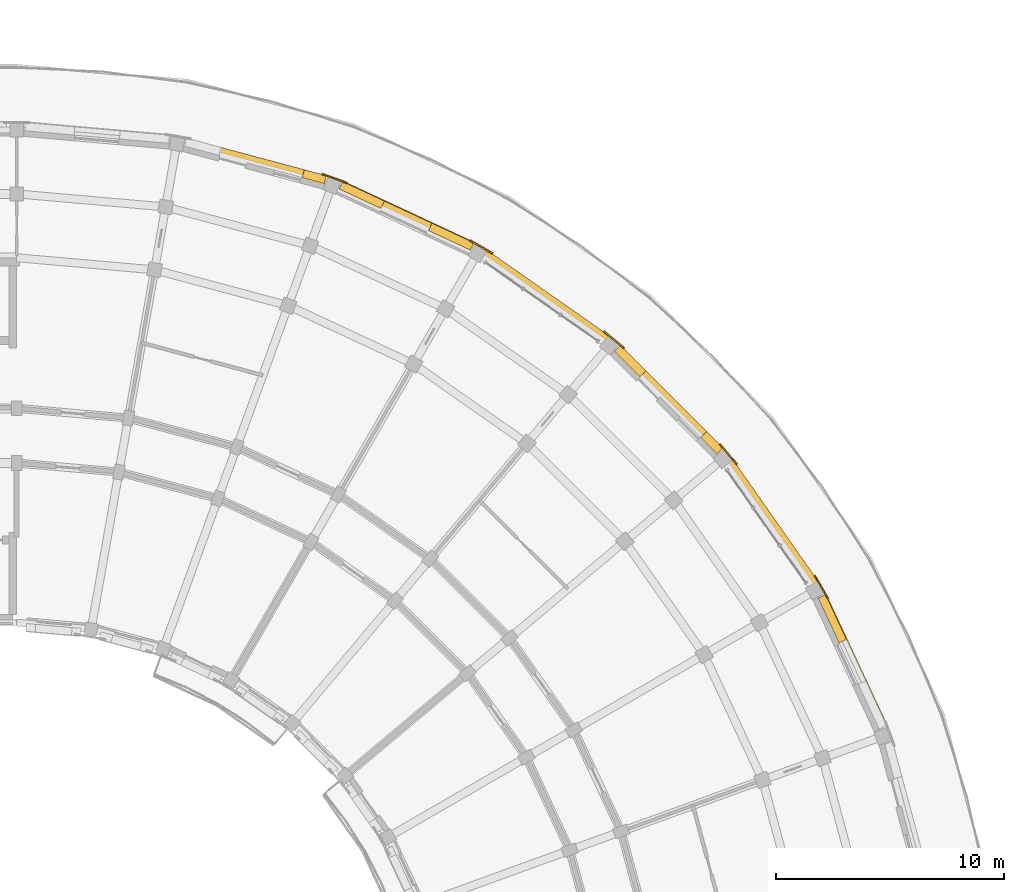
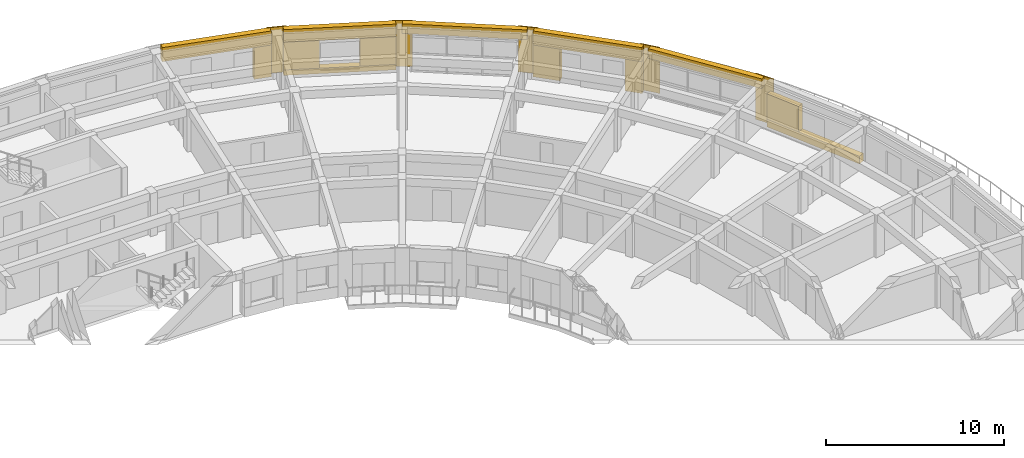
# One storey, part 41 of 41: 18 coverings.
"""IFC4 building model written with IfcOpenShell, lengths in metres."""

from ifc_helpers import new_model, si_unit, direction, frame, origin, place, context, subcontext, project, spatial, polyline, outline, extrude, material, layer, layer_set, type_object, element, save


model = new_model("IFC4")

# Units and contexts
model_context = context("Model", 3, precision=1e-05, world=origin(), true_north=direction((0.0, 1.0)))
body_context = subcontext(model_context, "Body", "Model", "MODEL_VIEW")
ifc_project = project(units=[si_unit("LENGTHUNIT", "METRE"), si_unit("AREAUNIT", "SQUARE_METRE"), si_unit("VOLUMEUNIT", "CUBIC_METRE"), si_unit("PLANEANGLEUNIT", "RADIAN"), si_unit("MASSUNIT", "GRAM", prefix="KILO")], contexts=[model_context])

# Site, building, storey
site_placement = place(None, origin())
site = spatial("IfcSite", under=ifc_project, at=site_placement, CompositionType="ELEMENT")
building_placement = place(site_placement, origin())
building = spatial("IfcBuilding", under=site, at=building_placement, Name="Kiranvali Square Residences", CompositionType="ELEMENT")
storey_placement = place(building_placement, frame((0.0, 0.0, 33.89990234375)))
storey = spatial("IfcBuildingStorey", under=building, at=storey_placement, Name="L10", CompositionType="ELEMENT", Elevation=33.89990234375)

# Coverings
ifc_material = material(Name="Honed Porbandar limestone ashlar facade cladding", Category="masonry")
ifc_layer_1 = layer(ifc_material, 0.3798828125)
ifc_layer_set_1 = layer_set([ifc_layer_1], Name="Honed Porbandar limestone ashlar facade cladding")
covering_type_1 = type_object("IfcCoveringType", Name="COV-CLAD-JAMB", PredefinedType="CLADDING", material=ifc_layer_set_1)
covering_1_placement = place(storey_placement, origin())
element("IfcCovering", 1, at=covering_1_placement, inside=storey, type_object=covering_type_1, Name="L10 deep limestone window jamb reveal B-L10-CRV-01.R", PredefinedType="CLADDING", context=body_context, shape_type="SweptSolid", body=[
    extrude(outline(polyline([(132.314697265625, 126.11328125), (133.27978515625, 125.854736328125), (133.372802734375, 126.201904296875), (132.40771484375, 126.46044921875), (132.314697265625, 126.11328125)])), origin(), (0.0, 0.0, 1.0), 2.18017578125),
])
covering_2_placement = place(storey_placement, frame((0.0, 0.0, 0.380126953125)))
element("IfcCovering", 2, at=covering_2_placement, inside=storey, type_object=covering_type_1, Name="L10 deep limestone window jamb reveal B-L10-CRV-02.L", PredefinedType="CLADDING", context=body_context, shape_type="SweptSolid", body=[
    extrude(outline(polyline([(133.93505859375, 125.6162109375), (135.766845703125, 124.761962890625), (135.918701171875, 125.087890625), (134.0869140625, 125.94189453125), (133.93505859375, 125.6162109375)])), origin(), (0.0, 0.0, 1.0), 1.89990234375),
])
covering_3_placement = place(storey_placement, frame((0.0, 0.0, 0.380126953125)))
element("IfcCovering", 3, at=covering_3_placement, inside=storey, type_object=covering_type_1, Name="L10 deep limestone window jamb reveal B-L10-CRV-02.R", PredefinedType="CLADDING", context=body_context, shape_type="SweptSolid", body=[
    extrude(outline(polyline([(137.851318359375, 123.7900390625), (139.68310546875, 122.935791015625), (139.8349609375, 123.26171875), (138.003173828125, 124.11572265625), (137.851318359375, 123.7900390625)])), origin(), (0.0, 0.0, 1.0), 1.89990234375),
])
covering_4_placement = place(storey_placement, origin())
element("IfcCovering", 4, at=covering_4_placement, inside=storey, type_object=covering_type_1, Name="L10 deep limestone window jamb reveal B-L10-CRV-04.L", PredefinedType="CLADDING", context=body_context, shape_type="SweptSolid", body=[
    extrude(outline(polyline([(146.016357421875, 118.5009765625), (147.12646484375, 117.39111328125), (147.380615234375, 117.645263671875), (146.270751953125, 118.75537109375), (146.016357421875, 118.5009765625)])), origin(), (0.0, 0.0, 1.0), 2.18017578125),
])
covering_5_placement = place(storey_placement, origin())
element("IfcCovering", 5, at=covering_5_placement, inside=storey, type_object=covering_type_1, Name="L10 deep limestone window jamb reveal B-L10-CRV-04.R", PredefinedType="CLADDING", context=body_context, shape_type="SweptSolid", body=[
    extrude(outline(polyline([(149.794677734375, 114.722900390625), (150.5009765625, 114.016357421875), (150.75537109375, 114.270751953125), (150.048828125, 114.97705078125), (149.794677734375, 114.722900390625)])), origin(), (0.0, 0.0, 1.0), 2.18017578125),
])
covering_6_placement = place(storey_placement, frame((0.0, 0.0, 0.530029296875)))
element("IfcCovering", 6, at=covering_6_placement, inside=storey, type_object=covering_type_1, Name="L10 deep limestone window jamb reveal B-L10-CRV-06.L", PredefinedType="CLADDING", context=body_context, shape_type="SweptSolid", body=[
    extrude(outline(polyline([(154.935791015625, 107.68310546875), (155.853271484375, 105.71533203125), (156.17919921875, 105.8671875), (155.26171875, 107.8349609375), (154.935791015625, 107.68310546875)])), origin(), (0.0, 0.0, 1.0), 1.75),
])
ifc_layer_2 = layer(ifc_material, 0.06494140625)
ifc_layer_set_2 = layer_set([ifc_layer_2], Name="Honed Porbandar limestone ashlar facade cladding")
covering_type_2 = type_object("IfcCoveringType", Name="COV-CLAD-PIER", PredefinedType="CLADDING", material=ifc_layer_set_2)
covering_7_placement = place(storey_placement, frame((0.0, 0.0, 0.005126953125)))
element("IfcCovering", 7, at=covering_7_placement, inside=storey, type_object=covering_type_2, Name="L10 Classical limestone corner pilaster CLAD-PR-B-L10-A02", PredefinedType="CLADDING", context=body_context, shape_type="SweptSolid", body=[
    extrude(outline(polyline([(134.28857421875, 125.9111328125), (133.198486328125, 126.307861328125), (133.17529296875, 126.244384765625), (134.265380859375, 125.84765625), (134.28857421875, 125.9111328125)])), origin(), (0.0, 0.0, 1.0), 3.139892578125),
])
covering_8_placement = place(storey_placement, frame((0.0, 0.0, 0.005126953125)))
element("IfcCovering", 8, at=covering_8_placement, inside=storey, type_object=covering_type_2, Name="L10 Classical limestone corner pilaster CLAD-PR-B-L10-A03", PredefinedType="CLADDING", context=body_context, shape_type="SweptSolid", body=[
    extrude(outline(polyline([(140.686279296875, 122.816162109375), (139.681640625, 123.396240234375), (139.64794921875, 123.337646484375), (140.652587890625, 122.757568359375), (140.686279296875, 122.816162109375)])), origin(), (0.0, 0.0, 1.0), 3.139892578125),
])
covering_9_placement = place(storey_placement, frame((0.0, 0.0, 0.005126953125)))
element("IfcCovering", 9, at=covering_9_placement, inside=storey, type_object=covering_type_2, Name="L10 Classical limestone corner pilaster CLAD-PR-B-L10-A04", PredefinedType="CLADDING", context=body_context, shape_type="SweptSolid", body=[
    extrude(outline(polyline([(146.449462890625, 118.6572265625), (145.560791015625, 119.40283203125), (145.517578125, 119.351318359375), (146.406005859375, 118.60546875), (146.449462890625, 118.6572265625)])), origin(), (0.0, 0.0, 1.0), 3.139892578125),
])
covering_10_placement = place(storey_placement, frame((0.0, 0.0, 0.005126953125)))
element("IfcCovering", 10, at=covering_10_placement, inside=storey, type_object=covering_type_2, Name="L10 Classical limestone corner pilaster CLAD-PR-B-L10-A05", PredefinedType="CLADDING", context=body_context, shape_type="SweptSolid", body=[
    extrude(outline(polyline([(151.40283203125, 113.560791015625), (150.6572265625, 114.449462890625), (150.60546875, 114.406005859375), (151.351318359375, 113.517578125), (151.40283203125, 113.560791015625)])), origin(), (0.0, 0.0, 1.0), 3.139892578125),
])
covering_11_placement = place(storey_placement, frame((0.0, 0.0, 0.005126953125)))
element("IfcCovering", 11, at=covering_11_placement, inside=storey, type_object=covering_type_2, Name="L10 Classical limestone corner pilaster CLAD-PR-B-L10-A06", PredefinedType="CLADDING", context=body_context, shape_type="SweptSolid", body=[
    extrude(outline(polyline([(155.396240234375, 107.681640625), (154.816162109375, 108.686279296875), (154.757568359375, 108.652587890625), (155.337646484375, 107.64794921875), (155.396240234375, 107.681640625)])), origin(), (0.0, 0.0, 1.0), 3.139892578125),
])
ifc_layer_3 = layer(ifc_material, 0.360107421875)
ifc_layer_set_3 = layer_set([ifc_layer_3], Name="Honed Porbandar limestone ashlar facade cladding")
covering_type_3 = type_object("IfcCoveringType", Name="COV-CLAD-WALL", PredefinedType="CLADDING", material=ifc_layer_set_3)
covering_12_placement = place(storey_placement, frame((0.0, 0.0, 2.18017578125)))
element("IfcCovering", 12, at=covering_12_placement, inside=storey, type_object=covering_type_3, Name="L10 light limestone spandrel lintel B-L10-CRV-01", PredefinedType="CLADDING", context=body_context, shape_type="SweptSolid", body=[
    extrude(outline(polyline([(127.153564453125, 127.49609375), (133.27978515625, 125.854736328125), (133.372802734375, 126.201904296875), (127.24658203125, 127.84326171875), (127.153564453125, 127.49609375)])), origin(), (0.0, 0.0, 1.0), 0.96484375),
])
covering_13_placement = place(storey_placement, frame((0.0, 0.0, 2.280029296875)))
element("IfcCovering", 13, at=covering_13_placement, inside=storey, type_object=covering_type_3, Name="L10 light limestone spandrel lintel B-L10-CRV-02", PredefinedType="CLADDING", context=body_context, shape_type="SweptSolid", body=[
    extrude(outline(polyline([(133.93505859375, 125.6162109375), (139.68310546875, 122.935791015625), (139.8349609375, 123.26171875), (134.0869140625, 125.94189453125), (133.93505859375, 125.6162109375)])), origin(), (0.0, 0.0, 1.0), 0.864990234375),
])
covering_14_placement = place(storey_placement, frame((0.0, 0.0, 2.47998046875)))
element("IfcCovering", 14, at=covering_14_placement, inside=storey, type_object=covering_type_3, Name="Block B L10 limestone terrace header 4", PredefinedType="CLADDING", context=body_context, shape_type="SweptSolid", body=[
    extrude(outline(polyline([(140.001220703125, 122.7890625), (145.769775390625, 118.749755859375), (145.97509765625, 119.04296875), (140.20654296875, 123.082275390625), (140.001220703125, 122.7890625)])), origin(), (0.0, 0.0, 1.0), 0.6650390625),
])
covering_15_placement = place(storey_placement, frame((0.0, 0.0, 2.18017578125)))
element("IfcCovering", 15, at=covering_15_placement, inside=storey, type_object=covering_type_3, Name="L10 light limestone spandrel lintel B-L10-CRV-04", PredefinedType="CLADDING", context=body_context, shape_type="SweptSolid", body=[
    extrude(outline(polyline([(146.016357421875, 118.5009765625), (150.5009765625, 114.016357421875), (150.75537109375, 114.270751953125), (146.270751953125, 118.75537109375), (146.016357421875, 118.5009765625)])), origin(), (0.0, 0.0, 1.0), 0.96484375),
])
covering_16_placement = place(storey_placement, frame((0.0, 0.0, 2.47998046875)))
element("IfcCovering", 16, at=covering_16_placement, inside=storey, type_object=covering_type_3, Name="Block B L10 limestone terrace header 6", PredefinedType="CLADDING", context=body_context, shape_type="SweptSolid", body=[
    extrude(outline(polyline([(150.749755859375, 113.769775390625), (154.7890625, 108.001220703125), (155.082275390625, 108.20654296875), (151.04296875, 113.97509765625), (150.749755859375, 113.769775390625)])), origin(), (0.0, 0.0, 1.0), 0.6650390625),
])
ifc_layer_4 = layer(ifc_material, 0.320068359375)
ifc_layer_set_4 = layer_set([ifc_layer_4], Name="Honed Porbandar limestone ashlar facade cladding")
covering_type_4 = type_object("IfcCoveringType", Name="COV-CLAD-WALL-UP", PredefinedType="CLADDING", material=ifc_layer_set_4)
covering_17_placement = place(storey_placement, frame((0.0, 0.0, 0.005126953125)))
element("IfcCovering", 17, at=covering_17_placement, inside=storey, type_object=covering_type_4, Name="L10 limestone window sill apron B-L10-CRV-02", PredefinedType="CLADDING", context=body_context, shape_type="SweptSolid", body=[
    extrude(outline(polyline([(133.93505859375, 125.6162109375), (139.68310546875, 122.935791015625), (139.84765625, 123.288818359375), (134.099609375, 125.96923828125), (133.93505859375, 125.6162109375)])), origin(), (0.0, 0.0, 1.0), 0.375),
])
covering_18_placement = place(storey_placement, frame((0.0, 0.0, 0.005126953125)))
element("IfcCovering", 18, at=covering_18_placement, inside=storey, type_object=covering_type_4, Name="L10 limestone window sill apron B-L10-CRV-06", PredefinedType="CLADDING", context=body_context, shape_type="SweptSolid", body=[
    extrude(outline(polyline([(154.935791015625, 107.68310546875), (157.6162109375, 101.93505859375), (157.96923828125, 102.099609375), (155.288818359375, 107.84765625), (154.935791015625, 107.68310546875)])), origin(), (0.0, 0.0, 1.0), 0.52490234375),
])

save(model, "model.ifc")
